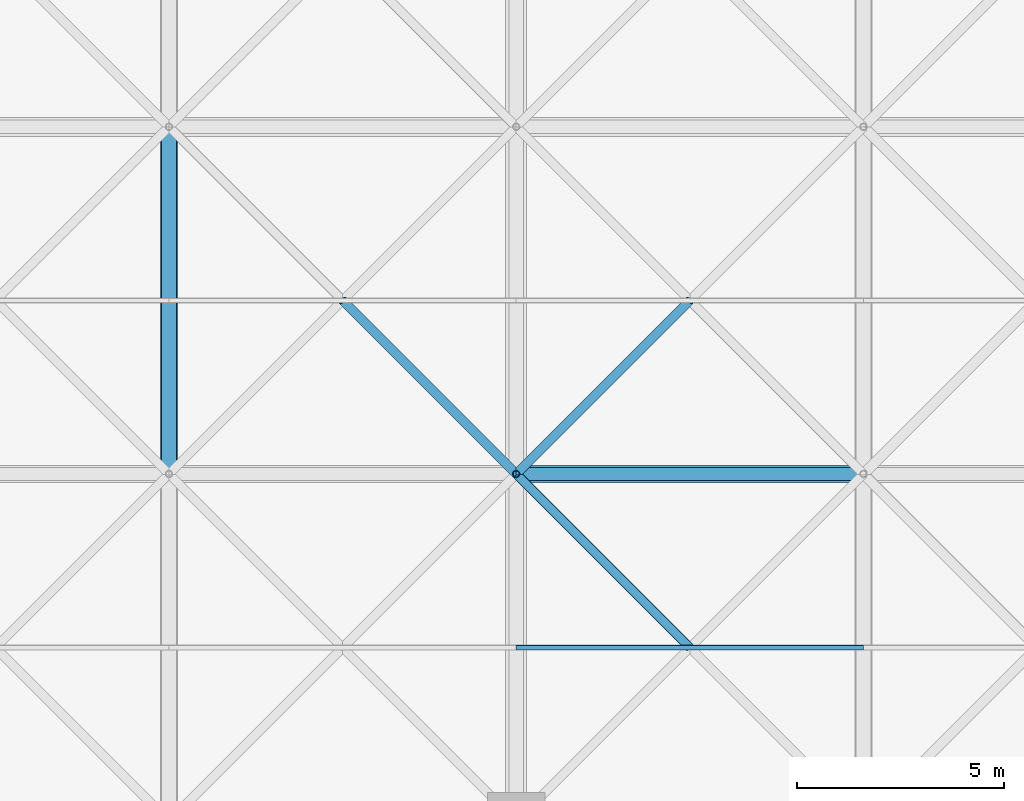
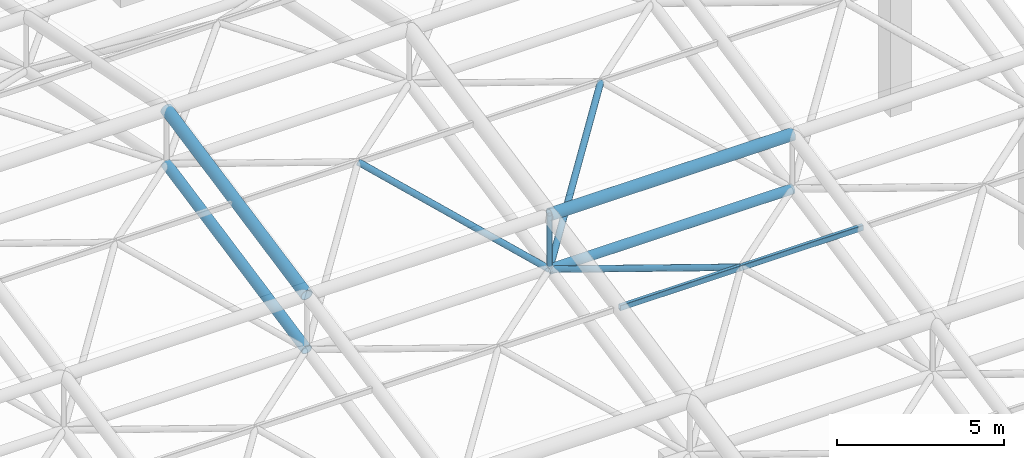
# One storey, part 38 of 81: 9 members.
"""IFC4 building model written with IfcOpenShell, lengths in metres."""

from ifc_helpers import new_model, si_unit, direction, frame, origin, origin_2d, place, context, subcontext, project, spatial, hollow_rectangle, hollow_circle, extrude, material, material_profile, profile_set, type_object, element, save


model = new_model("IFC4")

# Units and contexts
model_context = context("Model", 3, precision=1e-05, world=origin(), true_north=direction((0.0, 1.0)))
body_context = subcontext(model_context, "Body", "Model", "MODEL_VIEW")
ifc_project = project(units=[si_unit("LENGTHUNIT", "METRE"), si_unit("AREAUNIT", "SQUARE_METRE"), si_unit("VOLUMEUNIT", "CUBIC_METRE"), si_unit("PLANEANGLEUNIT", "RADIAN"), si_unit("MASSUNIT", "GRAM", prefix="KILO")], contexts=[model_context])

# Site, building, storey
site_placement = place(None, origin())
site = spatial("IfcSite", under=ifc_project, at=site_placement, CompositionType="ELEMENT")
building_placement = place(site_placement, origin())
building = spatial("IfcBuilding", under=site, at=building_placement, Name="Qawsi Khor Wholesale Market", CompositionType="ELEMENT")
storey_placement = place(building_placement, frame((0.0, 0.0, 16.199951171875)))
storey = spatial("IfcBuildingStorey", under=building, at=storey_placement, Name="L03", CompositionType="ELEMENT", Elevation=16.199951171875)

# Members
ifc_material = material(Name="Steel S355", Category="steel")
ifc_material_profile_1 = material_profile(ifc_material, hollow_circle(Radius=0.177734375, WallThickness=0.01611328125, at=origin_2d()), Name="CHS 355.6x16.0")
ifc_profile_set_1 = profile_set([ifc_material_profile_1], Name="Steel S355")
member_type_1 = type_object("IfcMemberType", Name="Space-Frame Bottom Chord CHS 355.6x16.0", PredefinedType="CHORD", material=ifc_profile_set_1)
member_1_placement = place(storey_placement, frame((50.39990234375, 67.199951171875, 5.070068359375), z_axis=(0.0, 0.98013111127, 0.198350711418), x_axis=(-1.0, 0.0, 0.0)))
element("IfcMember", 1, at=member_1_placement, inside=storey, type_object=member_type_1, Name="Space frame bottom chord Y WH (6,8)", PredefinedType="CHORD", context=body_context, shape_type="SweptSolid", body=[
    extrude(hollow_circle(Radius=0.177734375, WallThickness=0.01611328125, at=origin_2d()), origin(), (0.0, 0.0, 1.0), 8.5703125),
])
ifc_material_profile_2 = material_profile(ifc_material, hollow_rectangle(XDim=0.1201171875, YDim=0.199951171875, WallThickness=0.008056640625, InnerFilletRadius=0.008056640625, OuterFilletRadius=0.01611328125, at=origin_2d()), Name="RHS 200x120x8.0")
ifc_profile_set_2 = profile_set([ifc_material_profile_2], Name="Steel S355")
member_type_2 = type_object("IfcMemberType", Name="Space-Frame Heavy Purlin RHS 200x120x8.0", PredefinedType="PURLIN", material=ifc_profile_set_2)
member_2_placement = place(storey_placement, frame((58.800048828125, 63.0, 6.219970703125), z_axis=(1.0, 0.0, 0.0), x_axis=(0.0, 1.0, 0.0)))
element("IfcMember", 2, at=member_2_placement, inside=storey, type_object=member_type_2, Name="Space frame purlin WH (7,7)", PredefinedType="PURLIN", context=body_context, shape_type="SweptSolid", body=[
    extrude(hollow_rectangle(XDim=0.1201171875, YDim=0.199951171875, WallThickness=0.008056640625, InnerFilletRadius=0.008056640625, OuterFilletRadius=0.01611328125, at=origin_2d()), origin(), (0.0, 0.0, 1.0), 8.39990234375),
])
ifc_material_profile_3 = material_profile(ifc_material, hollow_circle(Radius=0.109619140625, WallThickness=0.010009765625, at=origin_2d()), Name="CHS 219.1x10.0")
ifc_profile_set_3 = profile_set([ifc_material_profile_3], Name="Steel S355")
member_type_3 = type_object("IfcMemberType", Name="Space-Frame Inner Diagonal CHS 219.1x10.0", PredefinedType="RAFTER", material=ifc_profile_set_3)
member_3_placement = place(storey_placement, frame((58.800048828125, 67.199951171875, 5.070068359375), z_axis=(-0.637511741089, 0.637511741089, 0.432617105474), x_axis=(-0.707106781187, -0.707106781187, 0.0)))
element("IfcMember", 3, at=member_3_placement, inside=storey, type_object=member_type_3, Name="Space frame diagonal WH (6,8)-2", PredefinedType="RAFTER", context=body_context, shape_type="SweptSolid", body=[
    extrude(hollow_circle(Radius=0.109619140625, WallThickness=0.010009765625, at=origin_2d()), origin(), (0.0, 0.0, 1.0), 6.588134765625),
])
member_4_placement = place(storey_placement, frame((58.800048828125, 67.199951171875, 5.070068359375), z_axis=(0.694216714393, -0.694216714393, 0.190069216113), x_axis=(0.707106781187, 0.707106781187, 0.0)))
element("IfcMember", 4, at=member_4_placement, inside=storey, type_object=member_type_3, Name="Space frame diagonal WH (7,7)-4", PredefinedType="RAFTER", context=body_context, shape_type="SweptSolid", body=[
    extrude(hollow_circle(Radius=0.109619140625, WallThickness=0.010009765625, at=origin_2d()), origin(), (0.0, 0.0, 1.0), 6.0498046875),
])
member_5_placement = place(storey_placement, frame((58.800048828125, 67.199951171875, 5.070068359375), z_axis=(0.637511741089, 0.637511741089, 0.432617105474), x_axis=(-0.707106781187, 0.707106781187, 0.0)))
element("IfcMember", 5, at=member_5_placement, inside=storey, type_object=member_type_3, Name="Space frame diagonal WH (7,8)-1", PredefinedType="RAFTER", context=body_context, shape_type="SweptSolid", body=[
    extrude(hollow_circle(Radius=0.109619140625, WallThickness=0.010009765625, at=origin_2d()), origin(), (0.0, 0.0, 1.0), 6.588134765625),
])
ifc_material_profile_4 = material_profile(ifc_material, hollow_circle(Radius=0.161865234375, WallThickness=0.01611328125, at=origin_2d()), Name="CHS 323.9x16.0")
ifc_profile_set_4 = profile_set([ifc_material_profile_4], Name="Steel S355")
member_type_4 = type_object("IfcMemberType", Name="Space-Frame Secondary Chord CHS 323.9x16.0", PredefinedType="CHORD", material=ifc_profile_set_4)
member_6_placement = place(storey_placement, frame((58.800048828125, 67.199951171875, 5.070068359375), z_axis=(1.0, 0.0, 0.0), x_axis=(0.0, 1.0, 0.0)))
element("IfcMember", 6, at=member_6_placement, inside=storey, type_object=member_type_4, Name="Space frame bottom chord X WH (7,8)", PredefinedType="CHORD", context=body_context, shape_type="SweptSolid", body=[
    extrude(hollow_circle(Radius=0.161865234375, WallThickness=0.01611328125, at=origin_2d()), origin(), (0.0, 0.0, 1.0), 8.39990234375),
])
ifc_material_profile_5 = material_profile(ifc_material, hollow_circle(Radius=0.203125, WallThickness=0.02001953125, at=origin_2d()), Name="CHS 406.4x20.0")
ifc_profile_set_5 = profile_set([ifc_material_profile_5], Name="Steel S355")
member_type_5 = type_object("IfcMemberType", Name="Space-Frame Top Chord CHS 406.4x20.0", PredefinedType="CHORD", material=ifc_profile_set_5)
member_7_placement = place(storey_placement, frame((50.39990234375, 67.199951171875, 7.070068359375), z_axis=(0.0, 0.98013111127, 0.198350711418), x_axis=(-1.0, 0.0, 0.0)))
element("IfcMember", 7, at=member_7_placement, inside=storey, type_object=member_type_5, Name="Space frame top chord Y WH (6,8)", PredefinedType="CHORD", context=body_context, shape_type="SweptSolid", body=[
    extrude(hollow_circle(Radius=0.203125, WallThickness=0.02001953125, at=origin_2d()), origin(), (0.0, 0.0, 1.0), 8.5703125),
])
member_8_placement = place(storey_placement, frame((58.800048828125, 67.199951171875, 7.070068359375), z_axis=(1.0, 0.0, 0.0), x_axis=(0.0, 1.0, 0.0)))
element("IfcMember", 8, at=member_8_placement, inside=storey, type_object=member_type_5, Name="Space frame top chord X WH (7,8)", PredefinedType="CHORD", context=body_context, shape_type="SweptSolid", body=[
    extrude(hollow_circle(Radius=0.203125, WallThickness=0.02001953125, at=origin_2d()), origin(), (0.0, 0.0, 1.0), 8.39990234375),
])
ifc_material_profile_6 = material_profile(ifc_material, hollow_circle(Radius=0.084228515625, WallThickness=0.008056640625, at=origin_2d()), Name="CHS 168.3x8.0")
ifc_profile_set_6 = profile_set([ifc_material_profile_6], Name="Steel S355")
member_type_6 = type_object("IfcMemberType", Name="Space-Frame Vertical Strut CHS 168.3x8.0", PredefinedType="STRUT", material=ifc_profile_set_6)
member_9_placement = place(storey_placement, frame((58.800048828125, 67.199951171875, 5.070068359375), z_axis=(0.0, 0.0, 1.0), x_axis=(1.0, 0.0, 0.0)))
element("IfcMember", 9, at=member_9_placement, inside=storey, type_object=member_type_6, Name="Space frame post WH (7,8)", PredefinedType="STRUT", context=body_context, shape_type="SweptSolid", body=[
    extrude(hollow_circle(Radius=0.084228515625, WallThickness=0.008056640625, at=origin_2d()), origin(), (0.0, 0.0, 1.0), 2.0),
])

save(model, "model.ifc")
